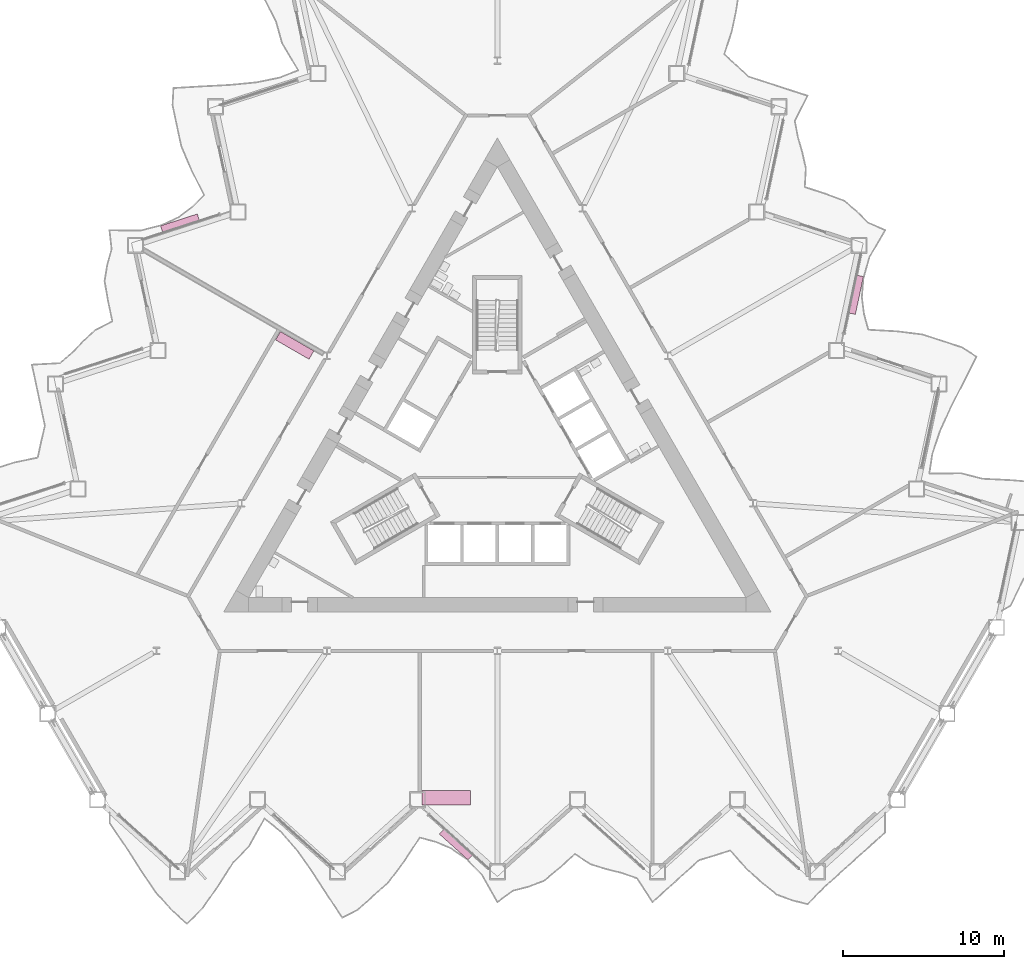
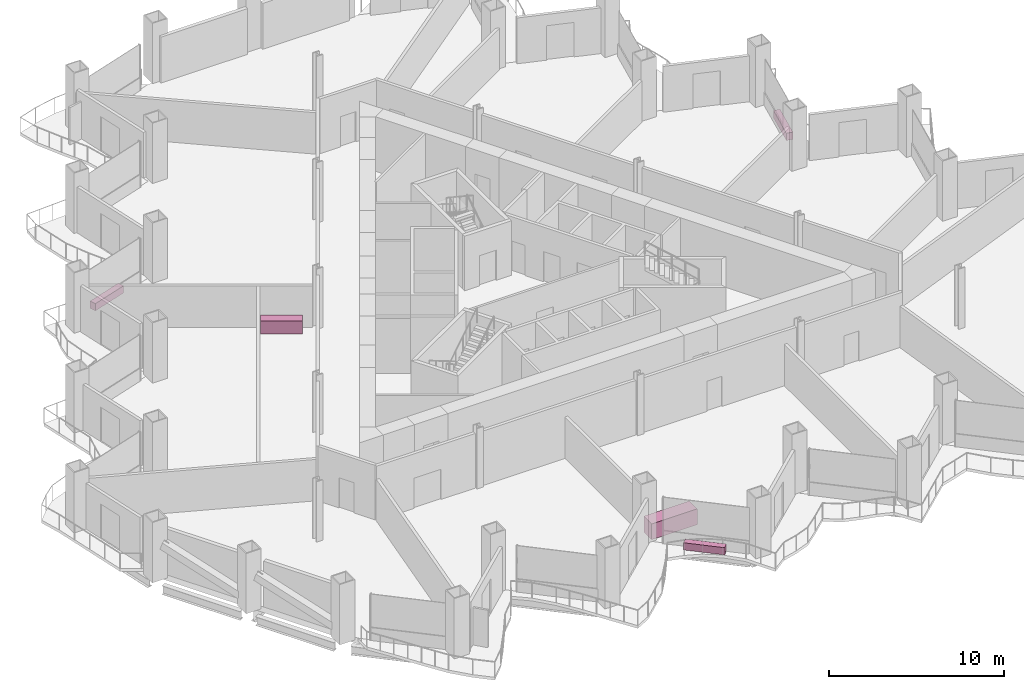
# One storey, part 20 of 20: 5 furniture elements.
"""IFC4 building model written with IfcOpenShell, lengths in metres."""

from ifc_helpers import new_model, si_unit, direction, frame, origin, origin_2d, place, context, subcontext, project, spatial, rectangle, extrude, material, type_object, element, save


model = new_model("IFC4")

# Units and contexts
model_context = context("Model", 3, precision=1e-05, world=origin(), true_north=direction((0.0, 1.0)))
body_context = subcontext(model_context, "Body", "Model", "MODEL_VIEW")
ifc_project = project(units=[si_unit("LENGTHUNIT", "METRE"), si_unit("AREAUNIT", "SQUARE_METRE"), si_unit("VOLUMEUNIT", "CUBIC_METRE"), si_unit("PLANEANGLEUNIT", "RADIAN"), si_unit("MASSUNIT", "GRAM", prefix="KILO")], contexts=[model_context])

# Site, building, storey
site_placement = place(None, origin())
site = spatial("IfcSite", under=ifc_project, at=site_placement, CompositionType="ELEMENT")
building_placement = place(site_placement, origin())
building = spatial("IfcBuilding", under=site, at=building_placement, Name="Cormorant Prow Tower", CompositionType="ELEMENT")
storey_placement = place(building_placement, frame((0.0, 0.0, 34.199951171875)))
storey = spatial("IfcBuildingStorey", under=building, at=storey_placement, Name="L06", CompositionType="ELEMENT", Elevation=34.199951171875)

# Furniture
ifc_material_1 = material(Name="Terracotta", Category="masonry")
furniture_type_1 = type_object("IfcFurnitureType", Name="Balcony planter 2400x400x500", AssemblyPlace="NOTDEFINED", PredefinedType="USERDEFINED", material=ifc_material_1)
for number, where, z_axis, x_axis, name in (
    (1, (-2.576171875, -24.243408203125, 0.0), (0.0, 0.0, 1.0), (0.743144833547, -0.669130597396, 0.0), "Balcony planter S04"),
    (2, (22.283447265625, 9.890625, 0.0), (0.0, 0.0, 1.0), (0.207911614097, 0.978147617041, 0.0), "Balcony planter ENE04"),
    (3, (-19.707275390625, 14.3525390625, 0.0), (0.0, 0.0, 1.0), (-0.951056505967, -0.309017026162, 0.0), "Balcony planter WNW04"),
):
    element("IfcFurniture", number, at=place(storey_placement, frame(where, z_axis=z_axis, x_axis=x_axis)), inside=storey, type_object=furniture_type_1, Name=name, ObjectType="PLANTER", PredefinedType="USERDEFINED", context=body_context, shape_type="SweptSolid", body=[
        extrude(rectangle(XDim=2.39990234375, YDim=0.39990234375, at=origin_2d()), origin(), (0.0, 0.0, 1.0), 0.5),
    ])
ifc_material_2 = material(Name="Timber joinery", Category="wood")
furniture_type_2 = type_object("IfcFurnitureType", Name="Kitchen counter 2400x600", AssemblyPlace="NOTDEFINED", PredefinedType="NOTDEFINED", material=ifc_material_2)
furniture_1_placement = place(storey_placement, frame((-12.58056640625, 6.74951171875, 0.0), z_axis=(0.0, 0.0, 1.0), x_axis=(0.866025403784, -0.5, 0.0)))
element("IfcFurniture", 4, at=furniture_1_placement, inside=storey, type_object=furniture_type_2, Name="Kitchen counter", PredefinedType="NOTDEFINED", context=body_context, shape_type="SweptSolid", body=[
    extrude(rectangle(XDim=2.39990234375, YDim=0.60009765625, at=origin_2d()), origin(), (0.0, 0.0, 1.0), 0.89990234375),
])
ifc_material_3 = material(Name="Timber joinery", Category="wood")
furniture_type_3 = type_object("IfcFurnitureType", Name="Reception desk 3000x900", AssemblyPlace="NOTDEFINED", PredefinedType="DESK", material=ifc_material_3)
furniture_2_placement = place(storey_placement, frame((-3.172607421875, -21.348388671875, 0.0), z_axis=(0.0, 0.0, 1.0), x_axis=(1.0, 0.0, 0.0)))
element("IfcFurniture", 5, at=furniture_2_placement, inside=storey, type_object=furniture_type_3, Name="Reception desk", PredefinedType="DESK", context=body_context, shape_type="SweptSolid", body=[
    extrude(rectangle(XDim=3.0, YDim=0.89990234375, at=origin_2d()), origin(), (0.0, 0.0, 1.0), 1.10009765625),
])

save(model, "model.ifc")
